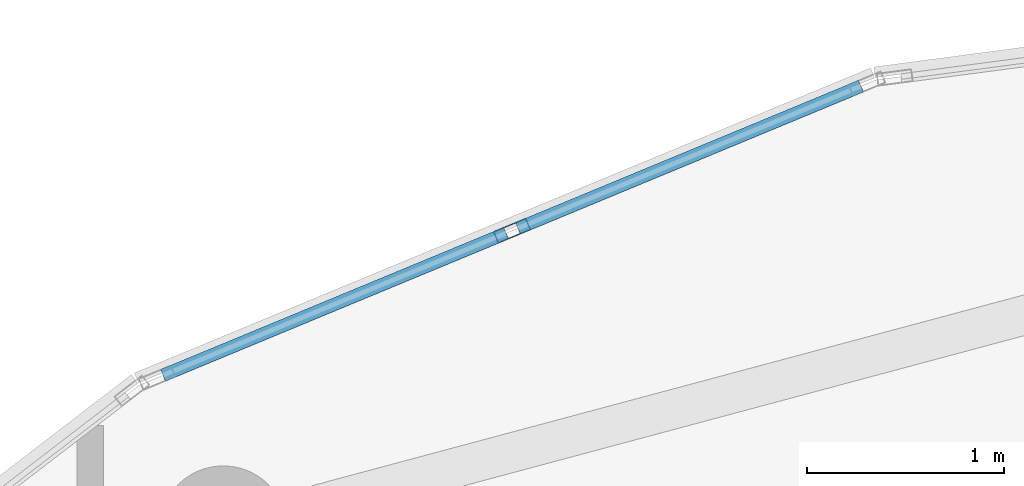
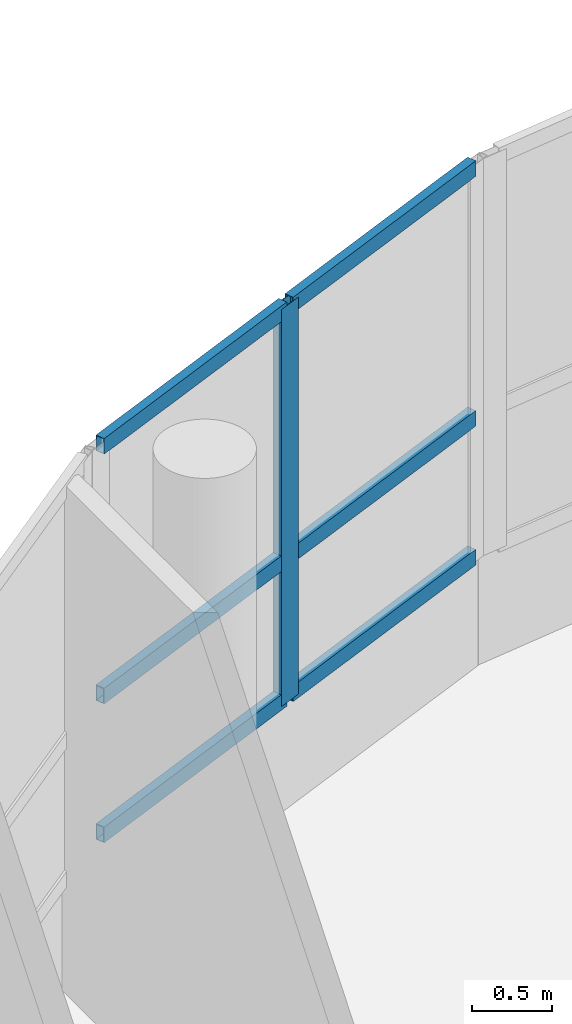
# One storey, part 61 of 184: 7 members, 1 element without a shape of its own.
"""IFC4 building model written with IfcOpenShell, lengths in metres."""

from ifc_helpers import new_model, si_unit, direction, frame, origin, origin_2d, place, context, subcontext, project, spatial, hollow_rectangle, extrude, material, material_profile, profile_set, type_object, element, aggregate, save


model = new_model("IFC4")

# Units and contexts
model_context = context("Model", 3, precision=1e-05, world=origin(), true_north=direction((0.0, 1.0)))
body_context = subcontext(model_context, "Body", "Model", "MODEL_VIEW")
ifc_project = project(units=[si_unit("LENGTHUNIT", "METRE"), si_unit("AREAUNIT", "SQUARE_METRE"), si_unit("VOLUMEUNIT", "CUBIC_METRE"), si_unit("PLANEANGLEUNIT", "RADIAN"), si_unit("MASSUNIT", "GRAM", prefix="KILO")], contexts=[model_context])

# Site, building, storey
site_placement = place(None, origin())
site = spatial("IfcSite", under=ifc_project, at=site_placement, CompositionType="ELEMENT")
building_placement = place(site_placement, origin())
building = spatial("IfcBuilding", under=site, at=building_placement, Name="Selatvlak General Hospital", CompositionType="ELEMENT")
storey_placement = place(building_placement, frame((0.0, 0.0, 15.0)))
storey = spatial("IfcBuildingStorey", under=building, at=storey_placement, Name="L03", CompositionType="ELEMENT", Elevation=15.0)

# Curtain wall, members
ifc_material_1 = material(Name="Solar-control Low-E double glazing", Category="glass")
curtain_wall_type = type_object("IfcCurtainWallType", Name="CW-CW-04", PredefinedType="USERDEFINED", material=ifc_material_1)
curtain_wall_placement = place(storey_placement, origin())
curtain_wall = element("IfcCurtainWall", 1, at=curtain_wall_placement, inside=storey, type_object=curtain_wall_type, Name="Glazed facade curtain wall CW-L03-0467", ObjectType="STICK GLAZING WALL", PredefinedType="USERDEFINED")
ifc_material_2 = material(Name="Dark anodised aluminium mullion", Category="aluminium")
ifc_material_profile_1 = material_profile(ifc_material_2, hollow_rectangle(XDim=0.06494140625, YDim=0.179931640625, WallThickness=0.00439453125, at=origin_2d()), Name="AL-MUL 65x180x4.5")
ifc_profile_set_1 = profile_set([ifc_material_profile_1], Name="Dark anodised aluminium mullion")
member_type_1 = type_object("IfcMemberType", Name="CWM-02", PredefinedType="MULLION", material=ifc_profile_set_1)
member_1_placement = place(storey_placement, frame((92.14111328125, 68.2060546875, 0.85009765625), z_axis=(0.0, 0.0, 1.0), x_axis=(-0.382752625243, 0.923850868847, 0.0)))
member_1 = element("IfcMember", 2, at=member_1_placement, type_object=member_type_1, Name="CW-04 mullion 2", PredefinedType="MULLION", context=body_context, shape_type="SweptSolid", body=[
    extrude(hollow_rectangle(XDim=0.06494140625, YDim=0.179931640625, WallThickness=0.00439453125, at=origin_2d()), origin(), (0.0, 0.0, 1.0), 3.044921875),
])
ifc_material_profile_2 = material_profile(ifc_material_2, hollow_rectangle(XDim=0.06494140625, YDim=0.1201171875, WallThickness=0.00390625, at=origin_2d()), Name="AL-TRN 65x120x4")
ifc_profile_set_2 = profile_set([ifc_material_profile_2], Name="Dark anodised aluminium mullion")
member_type_2 = type_object("IfcMemberType", Name="CWT-01", PredefinedType="USERDEFINED", material=ifc_profile_set_2)
member_2_placement = place(storey_placement, frame((90.369140625, 67.471923828125, 0.882568359375), z_axis=(0.92385269326, 0.382748221623, 0.0), x_axis=(-0.382748221623, 0.92385269326, 0.0)))
member_2 = element("IfcMember", 3, at=member_2_placement, type_object=member_type_2, Name="CW-04 transom 1.1", ObjectType="TRANSOM", PredefinedType="USERDEFINED", context=body_context, shape_type="SweptSolid", body=[
    extrude(hollow_rectangle(XDim=0.06494140625, YDim=0.1201171875, WallThickness=0.00390625, at=origin_2d()), origin(), (0.0, 0.0, 1.0), 1.885498046875),
])
member_3_placement = place(storey_placement, frame((90.369140625, 67.471923828125, 1.947021484375), z_axis=(0.92385269326, 0.382748221623, 0.0), x_axis=(-0.382748221623, 0.92385269326, 0.0)))
member_3 = element("IfcMember", 4, at=member_3_placement, type_object=member_type_2, Name="CW-04 transom 1.2", ObjectType="TRANSOM", PredefinedType="USERDEFINED", context=body_context, shape_type="SweptSolid", body=[
    extrude(hollow_rectangle(XDim=0.06494140625, YDim=0.1201171875, WallThickness=0.00390625, at=origin_2d()), origin(), (0.0, 0.0, 1.0), 1.885498046875),
])
member_4_placement = place(storey_placement, frame((90.369140625, 67.471923828125, 3.862548828125), z_axis=(0.92385269326, 0.382748221623, 0.0), x_axis=(-0.382748221623, 0.92385269326, 0.0)))
member_4 = element("IfcMember", 5, at=member_4_placement, type_object=member_type_2, Name="CW-04 transom 1.3", ObjectType="TRANSOM", PredefinedType="USERDEFINED", context=body_context, shape_type="SweptSolid", body=[
    extrude(hollow_rectangle(XDim=0.06494140625, YDim=0.1201171875, WallThickness=0.00390625, at=origin_2d()), origin(), (0.0, 0.0, 1.0), 1.885498046875),
])
member_5_placement = place(storey_placement, frame((92.171142578125, 68.218505859375, 0.882568359375), z_axis=(0.923833721264, 0.382794011782, 0.0), x_axis=(-0.382794011782, 0.923833721264, 0.0)))
member_5 = element("IfcMember", 6, at=member_5_placement, type_object=member_type_2, Name="CW-04 transom 2.1", ObjectType="TRANSOM", PredefinedType="USERDEFINED", context=body_context, shape_type="SweptSolid", body=[
    extrude(hollow_rectangle(XDim=0.06494140625, YDim=0.1201171875, WallThickness=0.00390625, at=origin_2d()), origin(), (0.0, 0.0, 1.0), 1.88525390625),
])
member_6_placement = place(storey_placement, frame((92.171142578125, 68.218505859375, 1.947021484375), z_axis=(0.923833721264, 0.382794011782, 0.0), x_axis=(-0.382794011782, 0.923833721264, 0.0)))
member_6 = element("IfcMember", 7, at=member_6_placement, type_object=member_type_2, Name="CW-04 transom 2.2", ObjectType="TRANSOM", PredefinedType="USERDEFINED", context=body_context, shape_type="SweptSolid", body=[
    extrude(hollow_rectangle(XDim=0.06494140625, YDim=0.1201171875, WallThickness=0.00390625, at=origin_2d()), origin(), (0.0, 0.0, 1.0), 1.88525390625),
])
member_7_placement = place(storey_placement, frame((92.171142578125, 68.218505859375, 3.862548828125), z_axis=(0.923833721264, 0.382794011782, 0.0), x_axis=(-0.382794011782, 0.923833721264, 0.0)))
member_7 = element("IfcMember", 8, at=member_7_placement, type_object=member_type_2, Name="CW-04 transom 2.3", ObjectType="TRANSOM", PredefinedType="USERDEFINED", context=body_context, shape_type="SweptSolid", body=[
    extrude(hollow_rectangle(XDim=0.06494140625, YDim=0.1201171875, WallThickness=0.00390625, at=origin_2d()), origin(), (0.0, 0.0, 1.0), 1.88525390625),
])
aggregate(curtain_wall, [member_1, member_2, member_3, member_4, member_5, member_6, member_7])

save(model, "model.ifc")
